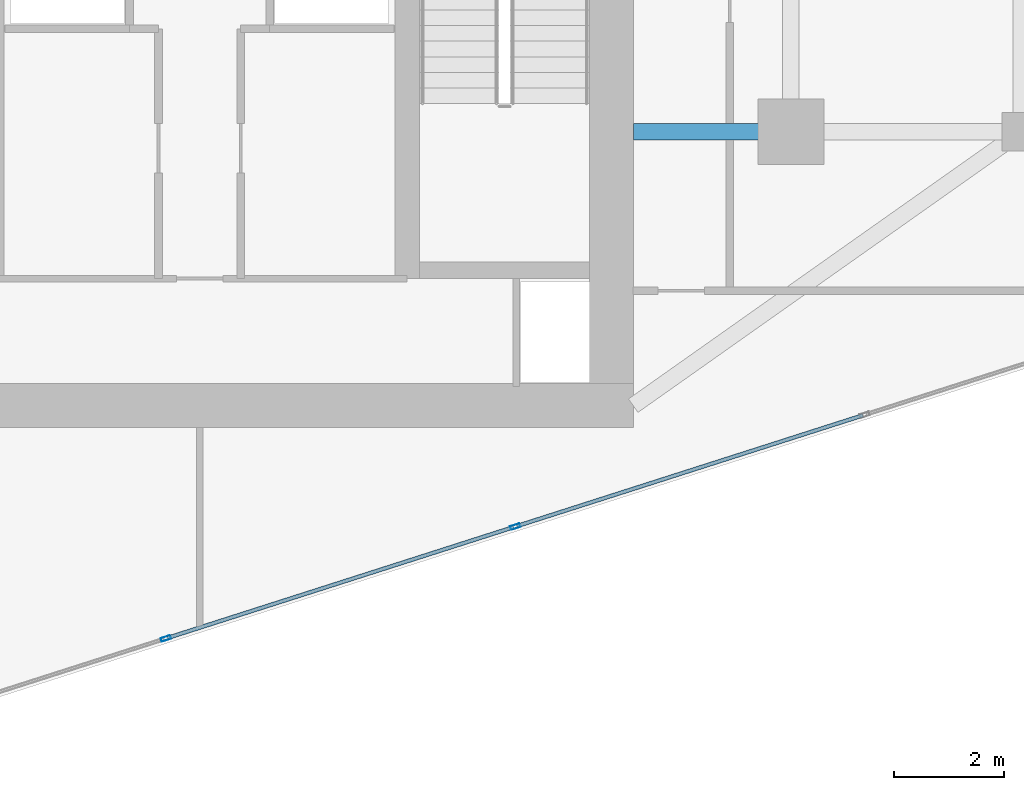
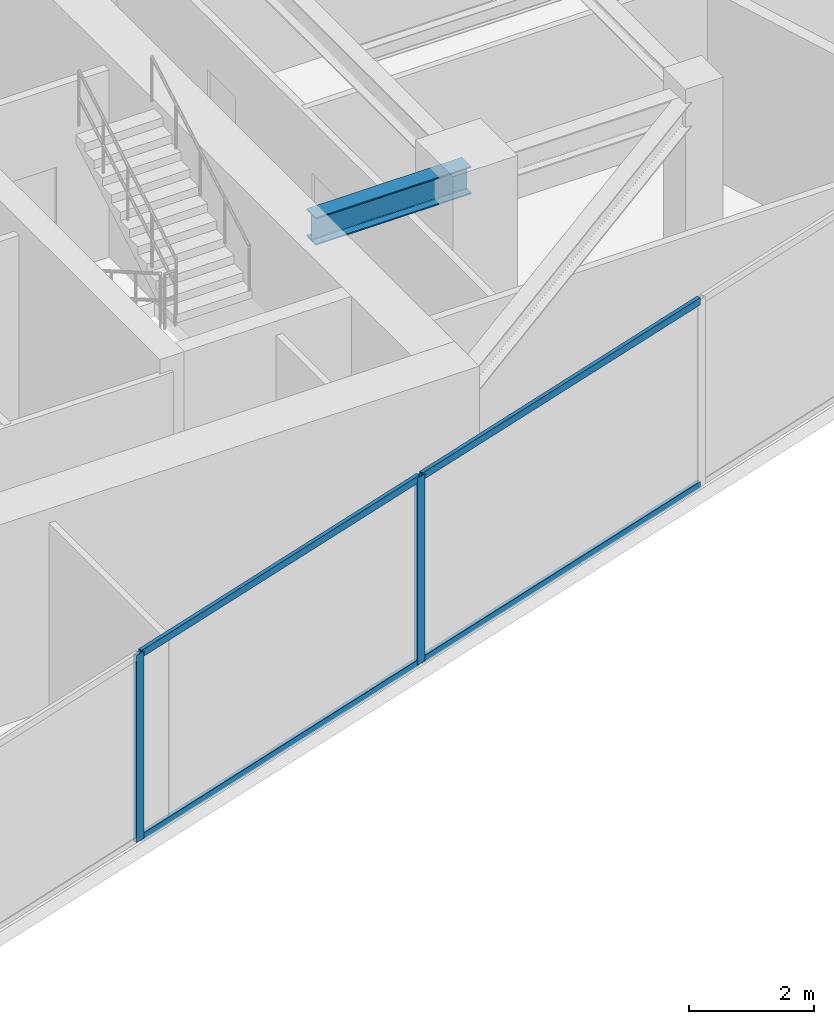
# One storey, part 4 of 21: 6 members, 1 beam, 1 element without a shape of its own.
"""IFC4 building model written with IfcOpenShell, lengths in metres."""

from ifc_helpers import new_model, si_unit, direction, frame, origin, origin_2d, place, context, subcontext, project, spatial, hollow_rectangle, i_section, extrude, source, transform, mapped, material, material_profile, profile_set, type_object, type_shapes, element, aggregate, save


model = new_model("IFC4")

# Units and contexts
model_context = context("Model", 3, precision=1e-05, world=origin(), true_north=direction((0.0, 1.0)))
body_context = subcontext(model_context, "Body", "Model", "MODEL_VIEW")
ifc_project = project(units=[si_unit("LENGTHUNIT", "METRE"), si_unit("AREAUNIT", "SQUARE_METRE"), si_unit("VOLUMEUNIT", "CUBIC_METRE"), si_unit("PLANEANGLEUNIT", "RADIAN"), si_unit("MASSUNIT", "GRAM", prefix="KILO")], contexts=[model_context])

# Site, building, storey
site_placement = place(None, origin())
site = spatial("IfcSite", under=ifc_project, at=site_placement, CompositionType="ELEMENT")
building_placement = place(site_placement, origin())
building = spatial("IfcBuilding", under=site, at=building_placement, Name="Krantzveldt Concourse Tower", CompositionType="ELEMENT")
storey_placement = place(building_placement, frame((0.0, 0.0, 343.5)))
storey = spatial("IfcBuildingStorey", under=building, at=storey_placement, Name="L84", CompositionType="ELEMENT", Elevation=343.5)

# Beam
ifc_material_1 = material(Name="Steel S355JR", Category="steel")
ifc_material_profile_1 = material_profile(ifc_material_1, i_section(OverallWidth=0.300048828125, OverallDepth=0.5400390625, WebThickness=0.012451171875, FlangeThickness=0.02392578125, FilletRadius=0.027099609375, at=origin_2d()), Name="Steel S355JR", Category="steel")
ifc_profile_set_1 = profile_set([ifc_material_profile_1], Name="Steel S355JR - HEA 550")
beam_type = type_object("IfcBeamType", Name="BM-B-HEA550", PredefinedType="BEAM", material=ifc_profile_set_1)
shared_shape_1 = source(origin(), body_context, "Body", "SweptSolid", [
    extrude(i_section(OverallWidth=0.300048828125, OverallDepth=0.5400390625, WebThickness=0.012451171875, FlangeThickness=0.02392578125, FilletRadius=0.027099609375, at=origin_2d()), origin(), (0.0, 0.0, 1.0), 2.880126953125),
])
type_shapes(beam_type, [shared_shape_1])
beam_placement = place(storey_placement, frame((43.919921875, 15.89990234375, 3.39990234375), z_axis=(1.0, 0.0, 0.0), x_axis=(0.0, 1.0, 0.0)))
element("IfcBeam", 1, at=beam_placement, inside=storey, type_object=beam_type, Name="L84 Tower Girder BG-CE1", PredefinedType="BEAM", context=body_context, shape_type="MappedRepresentation", body=[
    mapped(shared_shape_1, transform((0.0, 0.0, 0.0), x_axis=(1.0, 0.0, 0.0), y_axis=(0.0, 1.0, 0.0), z_axis=(0.0, 0.0, 1.0), scale=1.0)),
])

# Curtain wall, members
ifc_material_2 = material(Name="Anodised aluminium 6063-T6", Category="aluminium")
curtain_wall_type = type_object("IfcCurtainWallType", Name="CW4", PredefinedType="USERDEFINED", material=ifc_material_2)
curtain_wall_placement = place(storey_placement, origin())
curtain_wall = element("IfcCurtainWall", 2, at=curtain_wall_placement, inside=storey, type_object=curtain_wall_type, Name="CW-L84-F07", ObjectType="UNITISED CURTAIN WALL", PredefinedType="USERDEFINED")
ifc_material_profile_2 = material_profile(ifc_material_2, hollow_rectangle(XDim=0.070068359375, YDim=0.179931640625, WallThickness=0.0048828125, at=origin_2d()), Name="Anodised aluminium 6063-T6", Category="aluminium")
ifc_profile_set_2 = profile_set([ifc_material_profile_2], Name="Anodised aluminium 6063-T6 - ALU-MULL 180x70x5")
member_type_1 = type_object("IfcMemberType", Name="CW-MUL-180", PredefinedType="MULLION", material=ifc_profile_set_2)
shared_shape_2 = source(origin(), body_context, "Body", "SweptSolid", [
    extrude(hollow_rectangle(XDim=0.070068359375, YDim=0.179931640625, WallThickness=0.0048828125, at=origin_2d()), origin(), (0.0, 0.0, 1.0), 3.669921875),
])
type_shapes(member_type_1, [shared_shape_2])
member_1_placement = place(storey_placement, frame((35.384033203125, 6.647705078125, 0.0), z_axis=(0.0, 0.0, 1.0), x_axis=(-0.304864162408, 0.952395843376, 0.0)))
member_1 = element("IfcMember", 3, at=member_1_placement, type_object=member_type_1, Name="CW-Z56 mullion 2", PredefinedType="MULLION", context=body_context, shape_type="MappedRepresentation", body=[
    mapped(shared_shape_2, transform((0.0, 0.0, 0.0), x_axis=(1.0, 0.0, 0.0), y_axis=(0.0, 1.0, 0.0), z_axis=(0.0, 0.0, 1.0), scale=1.0)),
])
member_2_placement = place(storey_placement, frame((41.764892578125, 8.690185546875, 0.0), z_axis=(0.0, 0.0, 1.0), x_axis=(-0.304864162408, 0.952395843376, 0.0)))
member_2 = element("IfcMember", 4, at=member_2_placement, type_object=member_type_1, Name="CW-Z56 mullion 3", PredefinedType="MULLION", context=body_context, shape_type="MappedRepresentation", body=[
    mapped(shared_shape_2, transform((0.0, 0.0, 0.0), x_axis=(1.0, 0.0, 0.0), y_axis=(0.0, 1.0, 0.0), z_axis=(0.0, 0.0, 1.0), scale=1.0)),
])
ifc_material_profile_3 = material_profile(ifc_material_2, hollow_rectangle(XDim=0.070068359375, YDim=0.139892578125, WallThickness=0.0048828125, at=origin_2d()), Name="Anodised aluminium 6063-T6", Category="aluminium")
ifc_profile_set_3 = profile_set([ifc_material_profile_3], Name="Anodised aluminium 6063-T6 - ALU-TRAN 140x70x5")
member_type_2 = type_object("IfcMemberType", Name="CW-TRN-150", PredefinedType="USERDEFINED", material=ifc_profile_set_3)
shared_shape_3 = source(origin(), body_context, "Body", "SweptSolid", [
    extrude(hollow_rectangle(XDim=0.070068359375, YDim=0.139892578125, WallThickness=0.0048828125, at=origin_2d()), origin(), (0.0, 0.0, 1.0), 6.630126953125),
])
type_shapes(member_type_2, [shared_shape_3])
member_3_placement = place(storey_placement, frame((35.417236328125, 6.658203125, 0.034912109375), z_axis=(0.95239720744, 0.304859901036, 0.0), x_axis=(-0.304859901036, 0.95239720744, 0.0)))
member_3 = element("IfcMember", 5, at=member_3_placement, type_object=member_type_2, Name="CW-Z56 transom 2.1", ObjectType="TRANSOM", PredefinedType="USERDEFINED", context=body_context, shape_type="MappedRepresentation", body=[
    mapped(shared_shape_3, transform((0.0, 0.0, 0.0), x_axis=(1.0, 0.0, 0.0), y_axis=(0.0, 1.0, 0.0), z_axis=(0.0, 0.0, 1.0), scale=1.0)),
])
member_4_placement = place(storey_placement, frame((35.417236328125, 6.658203125, 3.635009765625), z_axis=(0.95239720744, 0.304859901036, 0.0), x_axis=(-0.304859901036, 0.95239720744, 0.0)))
member_4 = element("IfcMember", 6, at=member_4_placement, type_object=member_type_2, Name="CW-Z56 transom 2.2", ObjectType="TRANSOM", PredefinedType="USERDEFINED", context=body_context, shape_type="MappedRepresentation", body=[
    mapped(shared_shape_3, transform((0.0, 0.0, 0.0), x_axis=(1.0, 0.0, 0.0), y_axis=(0.0, 1.0, 0.0), z_axis=(0.0, 0.0, 1.0), scale=1.0)),
])
member_5_placement = place(storey_placement, frame((41.79833984375, 8.700927734375, 0.034912109375), z_axis=(0.95239720744, 0.304859901036, 0.0), x_axis=(-0.304859901036, 0.95239720744, 0.0)))
member_5 = element("IfcMember", 7, at=member_5_placement, type_object=member_type_2, Name="CW-Z56 transom 3.1", ObjectType="TRANSOM", PredefinedType="USERDEFINED", context=body_context, shape_type="MappedRepresentation", body=[
    mapped(shared_shape_3, transform((0.0, 0.0, 0.0), x_axis=(1.0, 0.0, 0.0), y_axis=(0.0, 1.0, 0.0), z_axis=(0.0, 0.0, 1.0), scale=1.0)),
])
member_6_placement = place(storey_placement, frame((41.79833984375, 8.700927734375, 3.635009765625), z_axis=(0.95239720744, 0.304859901036, 0.0), x_axis=(-0.304859901036, 0.95239720744, 0.0)))
member_6 = element("IfcMember", 8, at=member_6_placement, type_object=member_type_2, Name="CW-Z56 transom 3.2", ObjectType="TRANSOM", PredefinedType="USERDEFINED", context=body_context, shape_type="MappedRepresentation", body=[
    mapped(shared_shape_3, transform((0.0, 0.0, 0.0), x_axis=(1.0, 0.0, 0.0), y_axis=(0.0, 1.0, 0.0), z_axis=(0.0, 0.0, 1.0), scale=1.0)),
])
aggregate(curtain_wall, [member_1, member_2, member_3, member_4, member_5, member_6])

save(model, "model.ifc")
